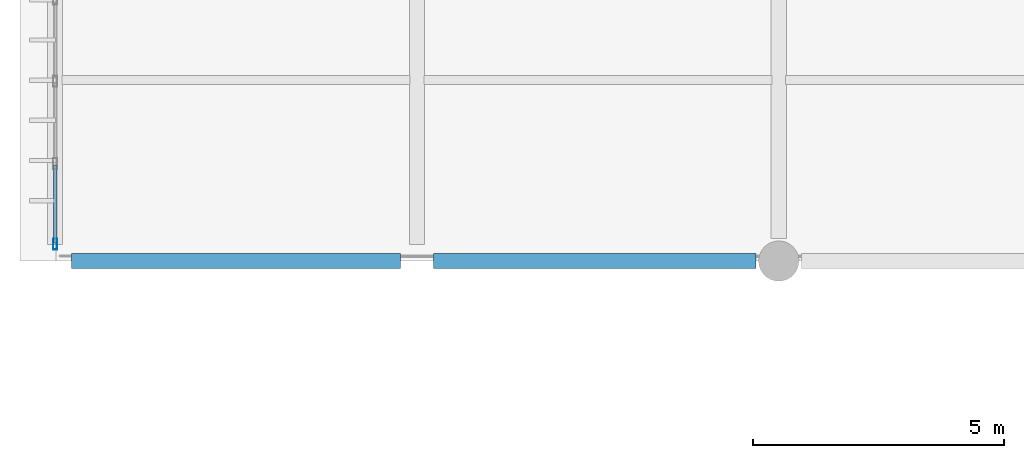
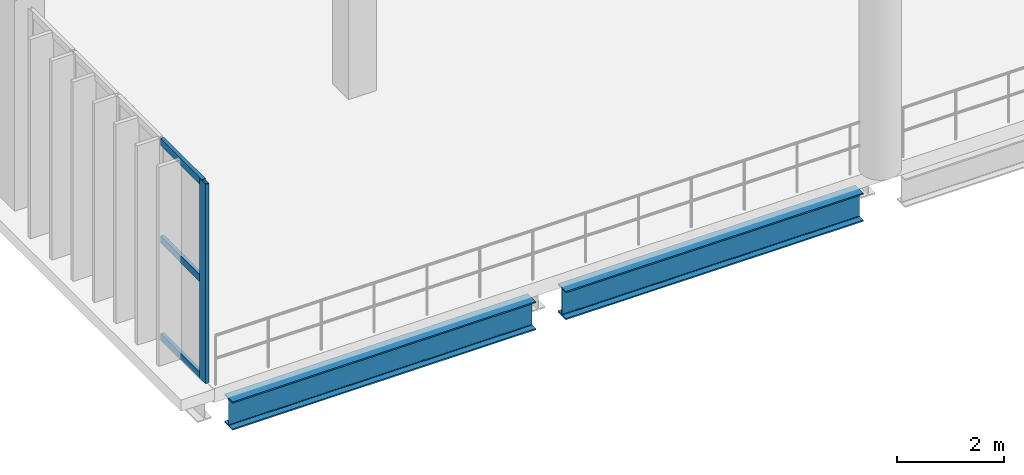
# One storey, part 3 of 105: 4 members, 2 beams, 1 element without a shape of its own.
"""IFC4 building model written with IfcOpenShell, lengths in metres."""

from ifc_helpers import new_model, si_unit, direction, frame, origin, origin_2d, place, context, subcontext, project, spatial, hollow_rectangle, i_section, extrude, material, material_profile, profile_set, type_object, element, aggregate, save


model = new_model("IFC4")

# Units and contexts
model_context = context("Model", 3, precision=1e-05, world=origin(), true_north=direction((0.0, 1.0)))
body_context = subcontext(model_context, "Body", "Model", "MODEL_VIEW")
ifc_project = project(units=[si_unit("LENGTHUNIT", "METRE"), si_unit("AREAUNIT", "SQUARE_METRE"), si_unit("VOLUMEUNIT", "CUBIC_METRE"), si_unit("PLANEANGLEUNIT", "RADIAN"), si_unit("MASSUNIT", "GRAM", prefix="KILO")], contexts=[model_context])

# Site, building, storey
site_placement = place(None, origin())
site = spatial("IfcSite", under=ifc_project, at=site_placement, CompositionType="ELEMENT")
building_placement = place(site_placement, origin())
building = spatial("IfcBuilding", under=site, at=building_placement, Name="Qandorah Velis Arena", CompositionType="ELEMENT")
storey_placement = place(building_placement, frame((0.0, 0.0, 13.800048828125)))
storey = spatial("IfcBuildingStorey", under=building, at=storey_placement, Name="L03", CompositionType="ELEMENT", Elevation=13.800048828125)

# Curtain wall, members
ifc_material_1 = material(Name="Solar-control low-E double glazing", Category="glass")
curtain_wall_type = type_object("IfcCurtainWallType", Name="ARC-CW-SYS21", PredefinedType="USERDEFINED", material=ifc_material_1)
curtain_wall_placement = place(storey_placement, origin())
curtain_wall = element("IfcCurtainWall", 1, at=curtain_wall_placement, inside=storey, type_object=curtain_wall_type, Name="Unitised curtain wall L03-021", ObjectType="UNITISED CURTAIN WALL", PredefinedType="USERDEFINED")
ifc_material_2 = material(Name="Champagne-bronze anodized aluminium 6063-T6", Category="aluminium")
ifc_material_profile_1 = material_profile(ifc_material_2, hollow_rectangle(XDim=0.074951171875, YDim=0.219970703125, WallThickness=0.00390625, at=origin_2d()), Name="ALU MULLION 75x220")
ifc_profile_set_1 = profile_set([ifc_material_profile_1], Name="Champagne-bronze anodized aluminium 6063-T6")
member_type_1 = type_object("IfcMemberType", Name="ARC-CWM-220", PredefinedType="MULLION", material=ifc_profile_set_1)
member_1_placement = place(storey_placement, frame((0.0, 14.737548828125, -0.01513671875), z_axis=(0.0, 0.0, 1.0), x_axis=(-1.0, 0.0, 0.0)))
member_1 = element("IfcMember", 2, at=member_1_placement, type_object=member_type_1, Name="CW21 mullion 1", PredefinedType="MULLION", context=body_context, shape_type="SweptSolid", body=[
    extrude(hollow_rectangle(XDim=0.074951171875, YDim=0.219970703125, WallThickness=0.00390625, at=origin_2d()), origin(), (0.0, 0.0, 1.0), 4.56005859375),
])
ifc_material_profile_2 = material_profile(ifc_material_2, hollow_rectangle(XDim=0.074951171875, YDim=0.159912109375, WallThickness=0.00341796875, at=origin_2d()), Name="ALU TRANSOM 75x160")
ifc_profile_set_2 = profile_set([ifc_material_profile_2], Name="Champagne-bronze anodized aluminium 6063-T6")
member_type_2 = type_object("IfcMemberType", Name="ARC-CWT-160", PredefinedType="USERDEFINED", material=ifc_profile_set_2)
member_2_placement = place(storey_placement, frame((0.0, 14.762939453125, 0.037353515625), z_axis=(0.0, 1.0, 0.0), x_axis=(-1.0, 0.0, 0.0)))
member_2 = element("IfcMember", 3, at=member_2_placement, type_object=member_type_2, Name="CW21 transom 1.1", ObjectType="TRANSOM", PredefinedType="USERDEFINED", context=body_context, shape_type="SweptSolid", body=[
    extrude(hollow_rectangle(XDim=0.074951171875, YDim=0.159912109375, WallThickness=0.00341796875, at=origin_2d()), origin(), (0.0, 0.0, 1.0), 1.549072265625),
])
member_3_placement = place(storey_placement, frame((0.0, 14.762939453125, 2.264892578125), z_axis=(0.0, 1.0, 0.0), x_axis=(-1.0, 0.0, 0.0)))
member_3 = element("IfcMember", 4, at=member_3_placement, type_object=member_type_2, Name="CW21 transom 1.2", ObjectType="TRANSOM", PredefinedType="USERDEFINED", context=body_context, shape_type="SweptSolid", body=[
    extrude(hollow_rectangle(XDim=0.074951171875, YDim=0.159912109375, WallThickness=0.00341796875, at=origin_2d()), origin(), (0.0, 0.0, 1.0), 1.549072265625),
])
member_4_placement = place(storey_placement, frame((0.0, 14.762939453125, 4.492431640625), z_axis=(0.0, 1.0, 0.0), x_axis=(-1.0, 0.0, 0.0)))
member_4 = element("IfcMember", 5, at=member_4_placement, type_object=member_type_2, Name="CW21 transom 1.3", ObjectType="TRANSOM", PredefinedType="USERDEFINED", context=body_context, shape_type="SweptSolid", body=[
    extrude(hollow_rectangle(XDim=0.074951171875, YDim=0.159912109375, WallThickness=0.00341796875, at=origin_2d()), origin(), (0.0, 0.0, 1.0), 1.549072265625),
])
aggregate(curtain_wall, [member_1, member_2, member_3, member_4])

# Beams
ifc_material_3 = material(Name="Steel S355", Category="steel")
ifc_material_profile_3 = material_profile(ifc_material_3, i_section(OverallWidth=0.300048828125, OverallDepth=0.64990234375, WebThickness=0.01611328125, FlangeThickness=0.031005859375, FilletRadius=0.027099609375, at=origin_2d()), Name="HEB 650")
ifc_profile_set_3 = profile_set([ifc_material_profile_3], Name="Steel S355")
beam_type = type_object("IfcBeamType", Name="STR-BM-HEB650", PredefinedType="BEAM", material=ifc_profile_set_3)
beam_1_placement = place(storey_placement, frame((0.324951171875, 14.39990234375, -0.64501953125), z_axis=(1.0, 0.0, 0.0), x_axis=(0.0, 1.0, 0.0)))
element("IfcBeam", 6, at=beam_1_placement, inside=storey, type_object=beam_type, Name="Primary floor girder L03 X-025", PredefinedType="BEAM", context=body_context, shape_type="SweptSolid", body=[
    extrude(i_section(OverallWidth=0.300048828125, OverallDepth=0.64990234375, WebThickness=0.01611328125, FlangeThickness=0.031005859375, FilletRadius=0.027099609375, at=origin_2d()), origin(), (0.0, 0.0, 1.0), 6.550048828125),
])
beam_2_placement = place(storey_placement, frame((7.52490234375, 14.39990234375, -0.64501953125), z_axis=(1.0, 0.0, 0.0), x_axis=(0.0, 1.0, 0.0)))
element("IfcBeam", 7, at=beam_2_placement, inside=storey, type_object=beam_type, Name="Primary floor girder L03 X-026", PredefinedType="BEAM", context=body_context, shape_type="SweptSolid", body=[
    extrude(i_section(OverallWidth=0.300048828125, OverallDepth=0.64990234375, WebThickness=0.01611328125, FlangeThickness=0.031005859375, FilletRadius=0.027099609375, at=origin_2d()), origin(), (0.0, 0.0, 1.0), 6.425048828125),
])

save(model, "model.ifc")
